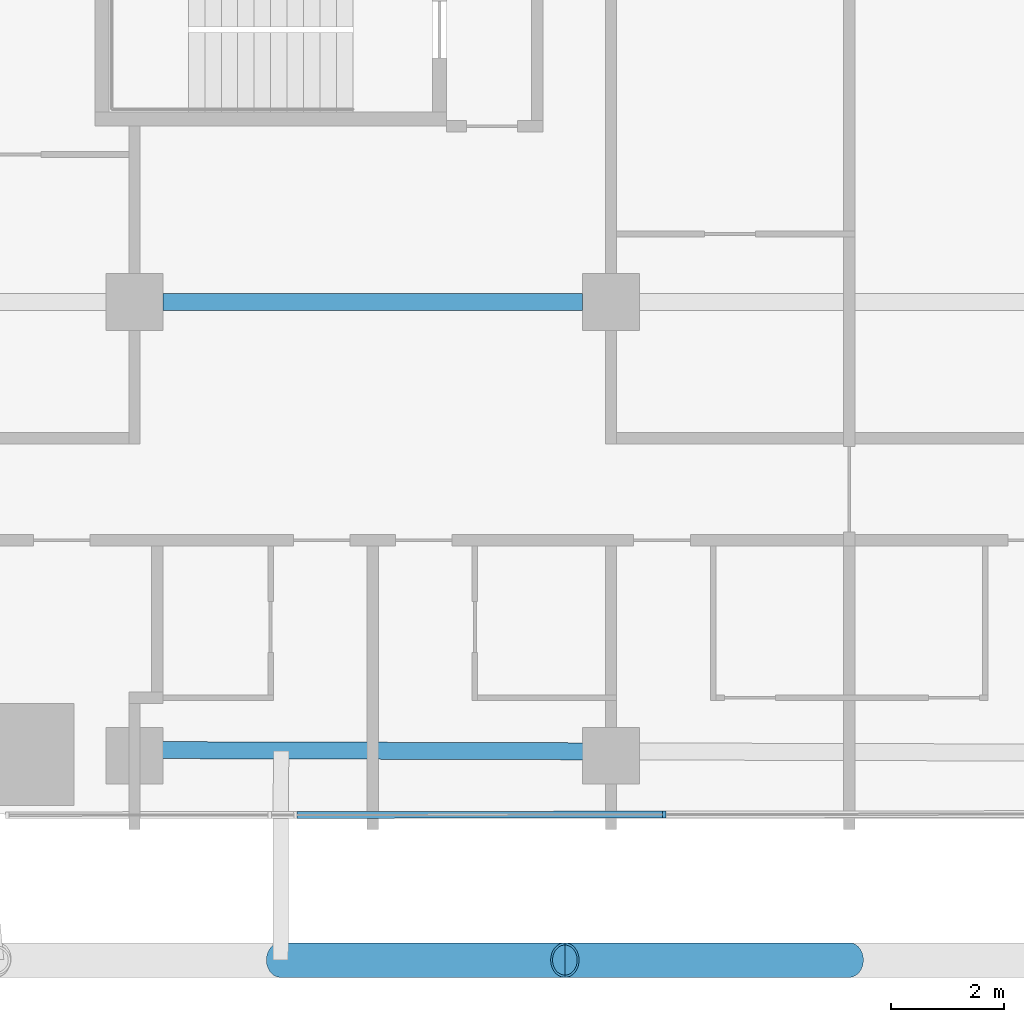
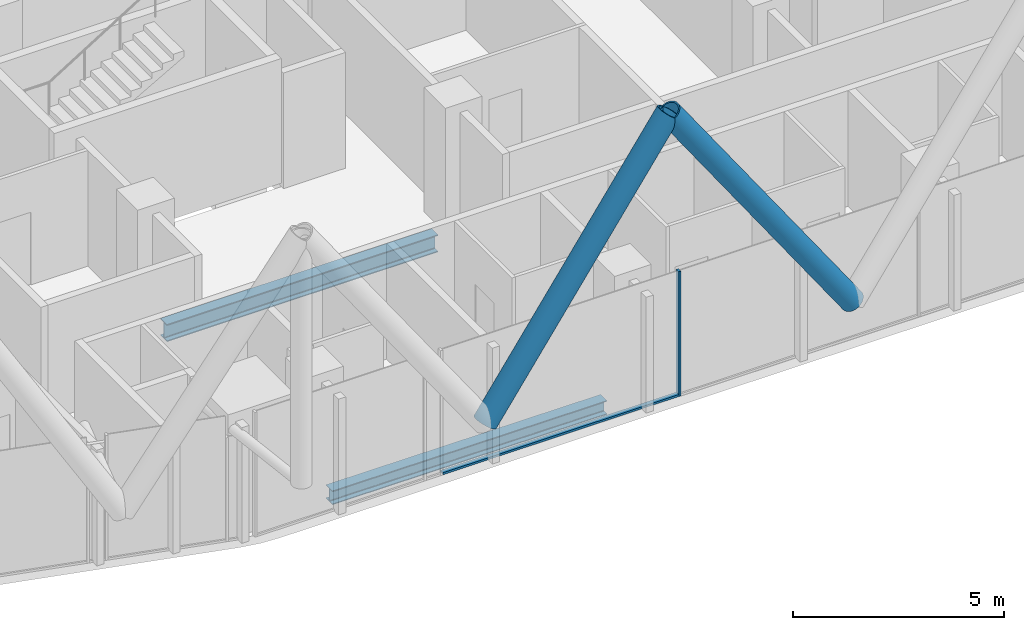
# One storey, part 3 of 38: 4 members, 2 beams, 1 element without a shape of its own.
"""IFC4 building model written with IfcOpenShell, lengths in metres."""

from ifc_helpers import new_model, si_unit, direction, frame, origin, origin_2d, place, context, subcontext, project, spatial, rectangle, hollow_circle, i_section, extrude, material, layer, layer_set, material_profile, profile_set, type_object, element, aggregate, save


model = new_model("IFC4")

# Units and contexts
model_context = context("Model", 3, precision=1e-05, world=origin(), true_north=direction((0.0, 1.0)))
body_context = subcontext(model_context, "Body", "Model", "MODEL_VIEW")
ifc_project = project(units=[si_unit("LENGTHUNIT", "METRE"), si_unit("AREAUNIT", "SQUARE_METRE"), si_unit("VOLUMEUNIT", "CUBIC_METRE"), si_unit("PLANEANGLEUNIT", "RADIAN"), si_unit("MASSUNIT", "GRAM", prefix="KILO")], contexts=[model_context])

# Site, building, storey
site_placement = place(None, origin())
site = spatial("IfcSite", under=ifc_project, at=site_placement, CompositionType="ELEMENT")
building_placement = place(site_placement, origin())
building = spatial("IfcBuilding", under=site, at=building_placement, Name="Marenta Gate Hotel Tower", CompositionType="ELEMENT")
storey_placement = place(building_placement, frame((0.0, 0.0, 40.10009765625)))
storey = spatial("IfcBuildingStorey", under=building, at=storey_placement, Name="L07", CompositionType="ELEMENT", Elevation=40.10009765625)

# Members
ifc_material_1 = material(Name="Steel S355J2W", Category="steel")
ifc_material_profile_1 = material_profile(ifc_material_1, hollow_circle(Radius=0.304931640625, WallThickness=0.0400390625, at=origin_2d()), Name="CHS 610x40")
ifc_profile_set_1 = profile_set([ifc_material_profile_1], Name="Steel S355J2W")
member_type_1 = type_object("IfcMemberType", Name="Diagrid diagonal Z1 CHS 610x40", PredefinedType="BRACE", material=ifc_profile_set_1)
for number, where, z_axis, x_axis, name in (
    (1, (0.0, -20.0, 3.139892578125), (-0.571393025954, 0.0, 0.820676556197), (0.0, -1.0, 0.0), "L07-DG-18"),
    (2, (-10.02587890625, -20.0, 3.139892578125), (0.571393025954, 0.0, 0.820676556197), (0.0, 1.0, 0.0), "L07-DG-19"),
):
    element("IfcMember", number, at=place(storey_placement, frame(where, z_axis=z_axis, x_axis=x_axis)), inside=storey, type_object=member_type_1, Name=name, PredefinedType="BRACE", context=body_context, shape_type="SweptSolid", body=[
        extrude(hollow_circle(Radius=0.304931640625, WallThickness=0.0400390625, at=origin_2d()), origin(), (0.0, 0.0, 1.0), 8.773193359375),
    ])

# Beams
ifc_material_2 = material(Name="Steel S355", Category="steel")
ifc_material_profile_2 = material_profile(ifc_material_2, i_section(OverallWidth=0.300048828125, OverallDepth=0.39990234375, WebThickness=0.013427734375, FlangeThickness=0.02392578125, FilletRadius=0.027099609375, at=origin_2d()), Name="HEB 400")
ifc_profile_set_2 = profile_set([ifc_material_profile_2], Name="Steel S355")
beam_type_1 = type_object("IfcBeamType", Name="Edge beam HEB 400", PredefinedType="SPANDREL", material=ifc_profile_set_2)
beam_1_placement = place(storey_placement, frame((-4.659912109375, -16.31982421875, -0.460205078125), z_axis=(-0.999996151562, 0.002774321851, 0.0), x_axis=(-0.002774321851, -0.999996151562, 0.0)))
element("IfcBeam", 3, at=beam_1_placement, inside=storey, type_object=beam_type_1, Name="L07-EB-34", PredefinedType="SPANDREL", context=body_context, shape_type="SweptSolid", body=[
    extrude(i_section(OverallWidth=0.300048828125, OverallDepth=0.39990234375, WebThickness=0.013427734375, FlangeThickness=0.02392578125, FilletRadius=0.027099609375, at=origin_2d()), origin(), (0.0, 0.0, 1.0), 7.47998046875),
])
ifc_material_3 = material(Name="Steel S355", Category="steel")
ifc_material_profile_3 = material_profile(ifc_material_3, i_section(OverallWidth=0.300048828125, OverallDepth=0.5, WebThickness=0.014404296875, FlangeThickness=0.028076171875, FilletRadius=0.027099609375, at=origin_2d()), Name="HEB 500")
ifc_profile_set_3 = profile_set([ifc_material_profile_3], Name="Steel S355")
beam_type_2 = type_object("IfcBeamType", Name="Girder HEB 500", PredefinedType="BEAM", material=ifc_profile_set_3)
beam_2_placement = place(storey_placement, frame((-12.10009765625, -8.39990234375, -0.510009765625), z_axis=(1.0, 0.0, 0.0), x_axis=(0.0, 1.0, 0.0)))
element("IfcBeam", 4, at=beam_2_placement, inside=storey, type_object=beam_type_2, Name="L07-GD-3", PredefinedType="BEAM", context=body_context, shape_type="SweptSolid", body=[
    extrude(i_section(OverallWidth=0.300048828125, OverallDepth=0.5, WebThickness=0.014404296875, FlangeThickness=0.028076171875, FilletRadius=0.027099609375, at=origin_2d()), origin(), (0.0, 0.0, 1.0), 7.400146484375),
])

# Curtain wall, members
ifc_material_4 = material(Name="Tinted insulated glass in bronze anodised frame", Category="glass")
ifc_layer = layer(ifc_material_4, 0.1201171875)
ifc_layer_set = layer_set([ifc_layer], Name="Tinted insulated glass in bronze anodised frame")
curtain_wall_type = type_object("IfcCurtainWallType", Name="Tower unitised curtain wall CW1", PredefinedType="NOTDEFINED", material=ifc_layer_set)
curtain_wall_placement = place(storey_placement, origin())
curtain_wall = element("IfcCurtainWall", 5, at=curtain_wall_placement, inside=storey, type_object=curtain_wall_type, Name="CW1 run G20", PredefinedType="NOTDEFINED")
ifc_material_5 = material(Name="Bronze anodised aluminium", Category="aluminium")
ifc_material_profile_4 = material_profile(ifc_material_5, rectangle(XDim=0.1201171875, YDim=0.06005859375, at=origin_2d()), Name="Mullion CW1 60x120 bronze anodised aluminium")
ifc_profile_set_4 = profile_set([ifc_material_profile_4], Name="Bronze anodised aluminium")
member_type_2 = type_object("IfcMemberType", Name="Mullion CW1 60x120 bronze anodised aluminium", PredefinedType="MULLION", material=ifc_profile_set_4)
member_1_placement = place(storey_placement, frame((-3.259521484375, -17.434326171875, 0.0), z_axis=(0.0, 0.0, 1.0), x_axis=(-0.001163317936, 0.999999323345, 0.0)))
member_1 = element("IfcMember", 6, at=member_1_placement, type_object=member_type_2, Name="CW1 mullion 2", PredefinedType="MULLION", context=body_context, shape_type="SweptSolid", body=[
    extrude(rectangle(XDim=0.1201171875, YDim=0.06005859375, at=origin_2d()), origin(), (0.0, 0.0, 1.0), 3.599853515625),
])
ifc_material_6 = material(Name="Bronze anodised aluminium", Category="aluminium")
ifc_material_profile_5 = material_profile(ifc_material_6, rectangle(XDim=0.1201171875, YDim=0.06005859375, at=origin_2d()), Name="Transom CW1 60x120 bronze anodised aluminium")
ifc_profile_set_5 = profile_set([ifc_material_profile_5], Name="Bronze anodised aluminium")
member_type_3 = type_object("IfcMemberType", Name="Transom CW1 60x120 bronze anodised aluminium", PredefinedType="USERDEFINED", material=ifc_profile_set_5)
member_2_placement = place(storey_placement, frame((-9.732421875, -17.44189453125, 0.02978515625), z_axis=(0.999999310055, 0.001174686571, 0.0), x_axis=(-0.001174686571, 0.999999310055, 0.0)))
member_2 = element("IfcMember", 7, at=member_2_placement, type_object=member_type_3, Name="CW1 transom 1.1", ObjectType="TRANSOM", PredefinedType="USERDEFINED", context=body_context, shape_type="SweptSolid", body=[
    extrude(rectangle(XDim=0.1201171875, YDim=0.06005859375, at=origin_2d()), origin(), (0.0, 0.0, 1.0), 6.44287109375),
])
aggregate(curtain_wall, [member_1, member_2])

save(model, "model.ifc")
